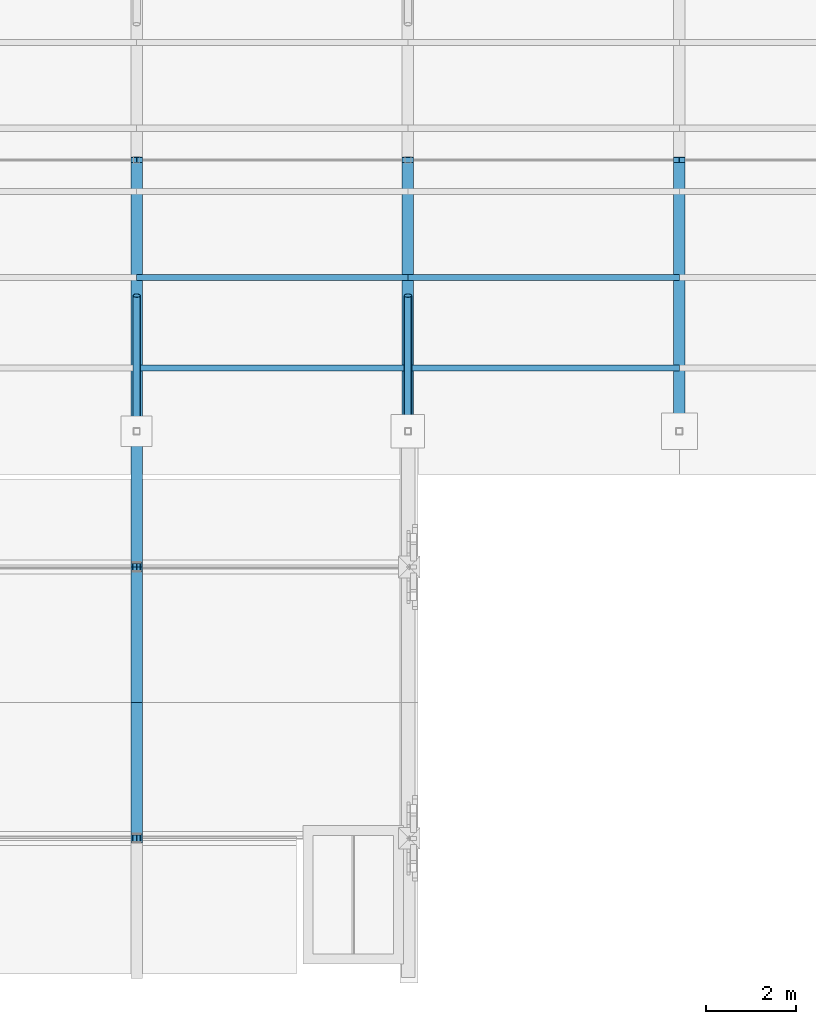
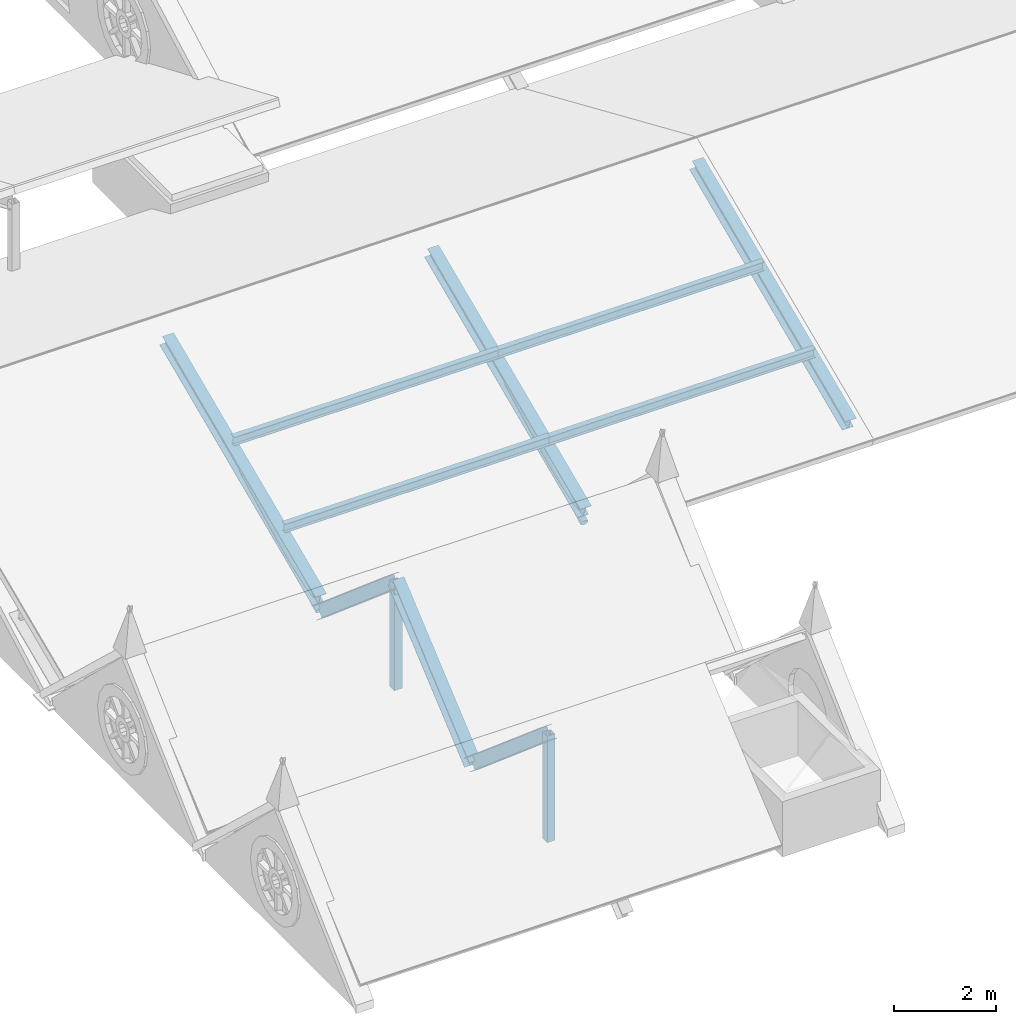
# One storey, part 25 of 59: 14 members.
"""IFC4 building model written with IfcOpenShell, lengths in metres."""

from ifc_helpers import new_model, si_unit, direction, frame, origin, origin_2d, place, context, subcontext, project, spatial, hollow_rectangle, hollow_circle, i_section, extrude, material, material_profile, profile_set, type_object, element, save


model = new_model("IFC4")

# Units and contexts
model_context = context("Model", 3, precision=1e-05, world=origin(), true_north=direction((0.0, 1.0)))
body_context = subcontext(model_context, "Body", "Model", "MODEL_VIEW")
ifc_project = project(units=[si_unit("LENGTHUNIT", "METRE"), si_unit("AREAUNIT", "SQUARE_METRE"), si_unit("VOLUMEUNIT", "CUBIC_METRE"), si_unit("PLANEANGLEUNIT", "RADIAN"), si_unit("MASSUNIT", "GRAM", prefix="KILO")], contexts=[model_context])

# Site, building, storey
site_placement = place(None, origin())
site = spatial("IfcSite", under=ifc_project, at=site_placement, CompositionType="ELEMENT")
building_placement = place(site_placement, origin())
building = spatial("IfcBuilding", under=site, at=building_placement, Name="Cumevento Cable Car Station", CompositionType="ELEMENT")
storey_placement = place(building_placement, frame((0.0, 0.0, 18.0)))
storey = spatial("IfcBuildingStorey", under=building, at=storey_placement, Name="L05", CompositionType="ELEMENT", Elevation=18.0)

# Members
ifc_material_1 = material(Name="Steel ASTM A572 Grade 50", Category="steel")
ifc_material_profile_1 = material_profile(ifc_material_1, hollow_rectangle(XDim=0.179931640625, YDim=0.179931640625, WallThickness=0.010009765625, at=origin_2d()), Name="HSS180x180x10.0")
ifc_profile_set_1 = profile_set([ifc_material_profile_1], Name="Steel ASTM A572 Grade 50")
member_type_1 = type_object("IfcMemberType", Name="Framing Brace BR-01 HSS180x180x10.0", PredefinedType="BRACE", material=ifc_profile_set_1)
for number, where, z_axis, x_axis, name in (
    (1, (124.0, 24.0, 0.0), (0.0, 0.0, 1.0), (1.0, 0.0, 0.0), "Wing B_V4b_core King Post #766"),
    (2, (124.0, 30.0, 0.0), (0.0, 0.0, 1.0), (1.0, 0.0, 0.0), "Wing B_V4b King Post #769"),
):
    element("IfcMember", number, at=place(storey_placement, frame(where, z_axis=z_axis, x_axis=x_axis)), inside=storey, type_object=member_type_1, Name=name, PredefinedType="BRACE", context=body_context, shape_type="SweptSolid", body=[
        extrude(hollow_rectangle(XDim=0.179931640625, YDim=0.179931640625, WallThickness=0.010009765625, at=origin_2d()), origin(), (0.0, 0.0, 1.0), 2.550048828125),
    ])
ifc_material_2 = material(Name="Steel ASTM A572 Grade 50", Category="steel")
ifc_material_profile_2 = material_profile(ifc_material_2, hollow_circle(Radius=0.084228515625, WallThickness=0.010009765625, at=origin_2d()), Name="CHS168.3x10.0")
ifc_profile_set_2 = profile_set([ifc_material_profile_2], Name="Steel ASTM A572 Grade 50")
member_type_2 = type_object("IfcMemberType", Name="Framing Brace TD-02 CHS168.3x10.0", PredefinedType="BRACE", material=ifc_profile_set_2)
for number, where, z_axis, x_axis, name in (
    (3, (124.0, 33.0, 0.02001953125), (0.0, 0.886677465101, 0.462388443715), (-1.0, 0.0, 0.0), "Cabin Garage Truss Web Brace #344"),
    (4, (130.0, 33.0, 0.02001953125), (0.0, 0.886677465101, 0.462388443715), (-1.0, 0.0, 0.0), "Cabin Garage Truss Web Brace #352"),
):
    element("IfcMember", number, at=place(storey_placement, frame(where, z_axis=z_axis, x_axis=x_axis)), inside=storey, type_object=member_type_2, Name=name, PredefinedType="BRACE", context=body_context, shape_type="SweptSolid", body=[
        extrude(hollow_circle(Radius=0.084228515625, WallThickness=0.010009765625, at=origin_2d()), origin(), (0.0, 0.0, 1.0), 3.38330078125),
    ])
ifc_material_3 = material(Name="Steel ASTM A572 Grade 50", Category="steel")
ifc_material_profile_3 = material_profile(ifc_material_3, i_section(OverallWidth=0.25390625, OverallDepth=0.305908203125, WebThickness=0.0087890625, FlangeThickness=0.0146484375, at=origin_2d()), Name="W310x79.0")
ifc_profile_set_3 = profile_set([ifc_material_profile_3], Name="Steel ASTM A572 Grade 50")
member_type_3 = type_object("IfcMemberType", Name="Framing Chord TC-03 W310x79.0", PredefinedType="CHORD", material=ifc_profile_set_3)
for number, where, z_axis, x_axis, name in (
    (5, (124.0, 33.0, 0.280029296875), (0.0, 0.917059377477, 0.398750671701), (-1.0, 0.0, 0.0), "Cabin Garage Truss Top Chord #346"),
    (6, (130.0, 33.0, 0.280029296875), (0.0, 0.917059377477, 0.398750671701), (-1.0, 0.0, 0.0), "Cabin Garage Truss Top Chord #354"),
    (7, (136.0, 33.0, 0.280029296875), (0.0, 0.917059377477, 0.398750671701), (-1.0, 0.0, 0.0), "Cabin Garage Truss Top Chord #358"),
):
    element("IfcMember", number, at=place(storey_placement, frame(where, z_axis=z_axis, x_axis=x_axis)), inside=storey, type_object=member_type_3, Name=name, PredefinedType="CHORD", context=body_context, shape_type="SweptSolid", body=[
        extrude(i_section(OverallWidth=0.25390625, OverallDepth=0.305908203125, WebThickness=0.0087890625, FlangeThickness=0.0146484375, at=origin_2d()), origin(), (0.0, 0.0, 1.0), 6.542724609375),
    ])
for number, where, z_axis, x_axis, name in (
    (8, (124.0, 27.0, 0.0), (0.0, -0.761933198092, 0.647655619635), (1.0, 0.0, 0.0), "Wing B_V4b_core Rafter #768"),
    (9, (124.0, 27.0, 0.0), (0.0, 0.761933198092, 0.647655619635), (-1.0, 0.0, 0.0), "Wing B_V4b Rafter #770"),
    (10, (124.0, 33.0, 0.0), (0.0, -0.761933198092, 0.647655619635), (1.0, 0.0, 0.0), "Wing B_V4b Rafter #771"),
):
    element("IfcMember", number, at=place(storey_placement, frame(where, z_axis=z_axis, x_axis=x_axis)), inside=storey, type_object=member_type_3, Name=name, PredefinedType="CHORD", context=body_context, shape_type="SweptSolid", body=[
        extrude(i_section(OverallWidth=0.25390625, OverallDepth=0.305908203125, WebThickness=0.0087890625, FlangeThickness=0.0146484375, at=origin_2d()), origin(), (0.0, 0.0, 1.0), 3.937255859375),
    ])
ifc_material_4 = material(Name="Steel ASTM A572 Grade 50", Category="steel")
ifc_material_profile_4 = material_profile(ifc_material_4, i_section(OverallWidth=0.133056640625, OverallDepth=0.20703125, WebThickness=0.005859375, FlangeThickness=0.00830078125, at=origin_2d()), Name="W200x26.6")
ifc_profile_set_4 = profile_set([ifc_material_profile_4], Name="Steel ASTM A572 Grade 50")
member_type_4 = type_object("IfcMemberType", Name="Framing Purlin PR-02 W200x26.6", PredefinedType="PURLIN", material=ifc_profile_set_4)
for number, where, z_axis, x_axis, name in (
    (11, (124.0, 34.39990234375, 1.169677734375), (1.0, 0.0, 0.0), (0.0, 1.0, 0.0), "Cabin Garage Purlin #403"),
    (12, (124.0, 36.39990234375, 2.039306640625), (1.0, 0.0, 0.0), (0.0, 1.0, 0.0), "Cabin Garage Purlin #404"),
    (13, (130.0, 34.39990234375, 1.169677734375), (1.0, 0.0, 0.0), (0.0, 1.0, 0.0), "Cabin Garage Purlin #409"),
    (14, (130.0, 36.39990234375, 2.039306640625), (1.0, 0.0, 0.0), (0.0, 1.0, 0.0), "Cabin Garage Purlin #410"),
):
    element("IfcMember", number, at=place(storey_placement, frame(where, z_axis=z_axis, x_axis=x_axis)), inside=storey, type_object=member_type_4, Name=name, PredefinedType="PURLIN", context=body_context, shape_type="SweptSolid", body=[
        extrude(i_section(OverallWidth=0.133056640625, OverallDepth=0.20703125, WebThickness=0.005859375, FlangeThickness=0.00830078125, at=origin_2d()), origin(), (0.0, 0.0, 1.0), 6.0),
    ])

save(model, "model.ifc")
